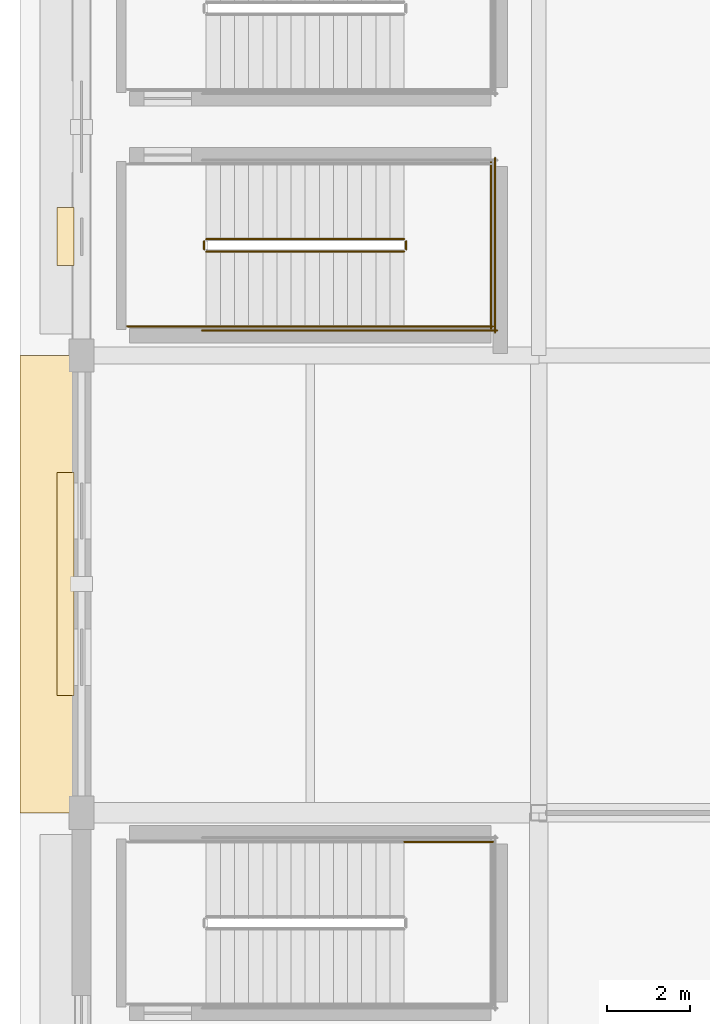
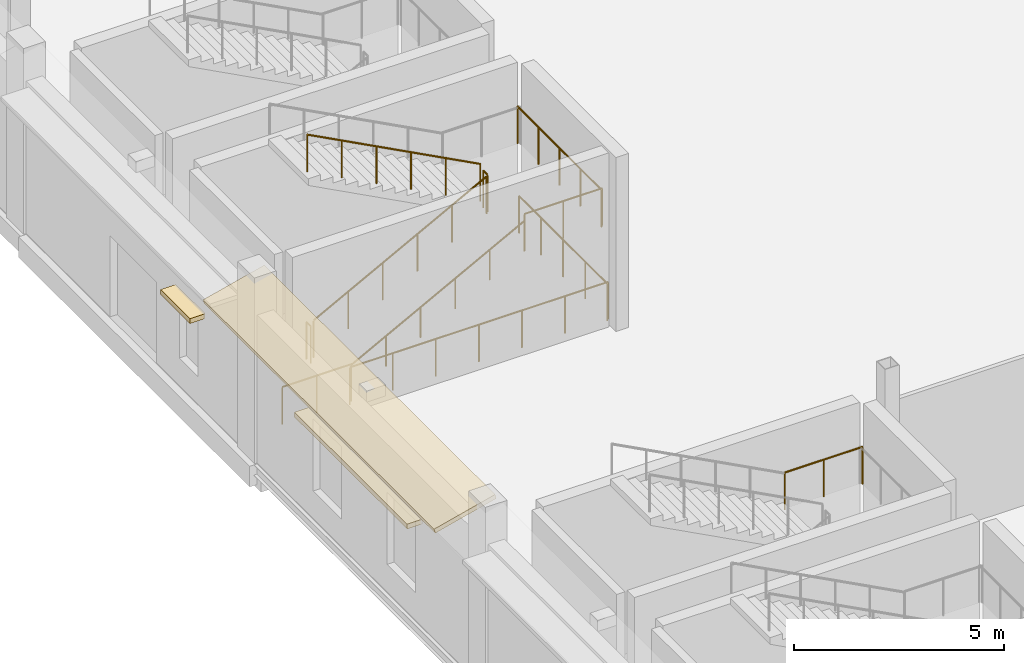
# One storey, part 95 of 120: 11 railings, 3 coverings.
"""IFC4 building model written with IfcOpenShell, lengths in metres."""

from ifc_helpers import new_model, si_unit, direction, frame, origin, origin_2d, place, context, subcontext, project, spatial, polyline, rectangle, circle, outline, extrude, material, layer, layer_set, type_object, element, save


model = new_model("IFC4")

# Units and contexts
model_context = context("Model", 3, precision=1e-05, world=origin(), true_north=direction((0.0, 1.0)))
body_context = subcontext(model_context, "Body", "Model", "MODEL_VIEW")
ifc_project = project(units=[si_unit("LENGTHUNIT", "METRE"), si_unit("AREAUNIT", "SQUARE_METRE"), si_unit("VOLUMEUNIT", "CUBIC_METRE"), si_unit("PLANEANGLEUNIT", "RADIAN"), si_unit("MASSUNIT", "GRAM", prefix="KILO")], contexts=[model_context])

# Site, building, storey
site_placement = place(None, origin())
site = spatial("IfcSite", under=ifc_project, at=site_placement, CompositionType="ELEMENT")
building_placement = place(site_placement, origin())
building = spatial("IfcBuilding", under=site, at=building_placement, Name="Luwafu Chhajja Arena", CompositionType="ELEMENT")
storey_placement = place(building_placement, origin())
storey = spatial("IfcBuildingStorey", under=building, at=storey_placement, Name="L00", CompositionType="ELEMENT", Elevation=0.0)

# Coverings
ifc_material_1 = material(Name="Red laterite sandstone cladding", Category="masonry")
ifc_layer = layer(ifc_material_1, 0.074951171875, Name="Red laterite sandstone cladding")
ifc_layer_set = layer_set([ifc_layer], Name="Red laterite sandstone cladding")
covering_type = type_object("IfcCoveringType", Name="Dressed Red-Laterite Sandstone Cladding", PredefinedType="CLADDING", material=ifc_layer_set)
covering_1_placement = place(storey_placement, frame((0.199951171875, 11.0, 5.360107421875), z_axis=(-0.242635142566, 0.0, 0.970117615339), x_axis=(0.0, 1.0, 0.0)))
element("IfcCovering", 1, at=covering_1_placement, inside=storey, type_object=covering_type, Name="L00 Continuous Sloped Sandstone Chhajja Eave 0003", PredefinedType="CLADDING", context=body_context, shape_type="SweptSolid", body=[
    extrude(outline(polyline([(0.0, 0.0), (11.0, 0.0), (11.0, 1.7316783182390405), (0.0, 1.7316783182390405), (0.0, 0.0)])), origin(), (0.0, 0.0, -1.0), 0.1298828125),
])
covering_2_placement = place(storey_placement, frame((-0.385009765625, 16.5, 2.93017578125), z_axis=(0.0, 0.0, 1.0), x_axis=(0.0, 1.0, 0.0)))
element("IfcCovering", 2, at=covering_2_placement, inside=storey, type_object=covering_type, Name="L00 Mughal Sandstone Window Chhajja Hood 0142", PredefinedType="CLADDING", context=body_context, shape_type="SweptSolid", body=[
    extrude(rectangle(XDim=5.3701171875, YDim=0.419921875, at=origin_2d()), origin(), (0.0, 0.0, 1.0), 0.139892578125),
])
covering_3_placement = place(storey_placement, frame((-0.385009765625, 24.860107421875, 2.6298828125), z_axis=(0.0, 0.0, 1.0), x_axis=(0.0, 1.0, 0.0)))
element("IfcCovering", 3, at=covering_3_placement, inside=storey, type_object=covering_type, Name="L00 Mughal Sandstone Window Chhajja Hood 0143", PredefinedType="CLADDING", context=body_context, shape_type="SweptSolid", body=[
    extrude(rectangle(XDim=1.39990234375, YDim=0.419921875, at=origin_2d()), origin(), (0.0, 0.0, 1.0), 0.139892578125),
])

# Railings
ifc_material_2 = material(Name="Stainless steel handrail", Category="steel")
railing_type_1 = type_object("IfcRailingType", Name="Stair Pitch Wall Handrail 920", PredefinedType="HANDRAIL", material=ifc_material_2)
railing_1_placement = place(storey_placement, frame((3.0, 22.699951171875, 0.179931640625)))
element("IfcRailing", 4, at=railing_1_placement, inside=storey, type_object=railing_type_1, Name="L00 ST-13 stair handrail 1", PredefinedType="HANDRAIL", context=body_context, shape_type="SweptSolid", body=[
    extrude(circle(Radius=0.02392578125, at=origin_2d()), frame((0.0, 0.0, 0.8759765625), z_axis=(0.883786813738, 0.0, 0.467889803119), x_axis=(0.0, 1.0, 0.0)), (0.0, 0.0, 1.0), 5.385986328125),
    extrude(circle(Radius=0.02099609375, at=origin_2d()), origin(), (0.0, 0.0, 1.0), 0.851806640625),
    extrude(circle(Radius=0.02099609375, at=origin_2d()), frame((0.951904296875, 0.0, 0.50390625)), (0.0, 0.0, 1.0), 0.851806640625),
    extrude(circle(Radius=0.02099609375, at=origin_2d()), frame((1.904052734375, 0.0, 1.008056640625)), (0.0, 0.0, 1.0), 0.851806640625),
    extrude(circle(Radius=0.02099609375, at=origin_2d()), frame((2.85595703125, 0.0, 1.511962890625)), (0.0, 0.0, 1.0), 0.851806640625),
    extrude(circle(Radius=0.02099609375, at=origin_2d()), frame((3.80810546875, 0.0, 2.01611328125)), (0.0, 0.0, 1.0), 0.851806640625),
    extrude(circle(Radius=0.02099609375, at=origin_2d()), frame((4.760009765625, 0.0, 2.52001953125)), (0.0, 0.0, 1.0), 0.851806640625),
])
ifc_material_3 = material(Name="Stainless steel balustrade", Category="steel")
railing_type_2 = type_object("IfcRailingType", Name="Stair and Terrace Guard Balustrade 1100", PredefinedType="BALUSTRADE", material=ifc_material_3)
railing_2_placement = place(storey_placement, frame((3.0, 24.5, 0.179931640625)))
element("IfcRailing", 5, at=railing_2_placement, inside=storey, type_object=railing_type_2, Name="L00 ST-13 stair guard 1", PredefinedType="BALUSTRADE", context=body_context, shape_type="SweptSolid", body=[
    extrude(circle(Radius=0.02392578125, at=origin_2d()), frame((0.0, 0.0, 1.076171875), z_axis=(0.883786813738, 0.0, 0.467889803119), x_axis=(0.0, 1.0, 0.0)), (0.0, 0.0, 1.0), 5.385986328125),
    extrude(circle(Radius=0.02099609375, at=origin_2d()), origin(), (0.0, 0.0, 1.0), 1.052001953125),
    extrude(circle(Radius=0.02099609375, at=origin_2d()), frame((0.951904296875, 0.0, 0.50390625)), (0.0, 0.0, 1.0), 1.052001953125),
    extrude(circle(Radius=0.02099609375, at=origin_2d()), frame((1.904052734375, 0.0, 1.008056640625)), (0.0, 0.0, 1.0), 1.052001953125),
    extrude(circle(Radius=0.02099609375, at=origin_2d()), frame((2.85595703125, 0.0, 1.511962890625)), (0.0, 0.0, 1.0), 1.052001953125),
    extrude(circle(Radius=0.02099609375, at=origin_2d()), frame((3.80810546875, 0.0, 2.01611328125)), (0.0, 0.0, 1.0), 1.052001953125),
    extrude(circle(Radius=0.02099609375, at=origin_2d()), frame((4.760009765625, 0.0, 2.52001953125)), (0.0, 0.0, 1.0), 1.052001953125),
])
railing_3_placement = place(storey_placement, frame((7.81005859375, 24.550048828125, 2.699951171875)))
element("IfcRailing", 6, at=railing_3_placement, inside=storey, type_object=railing_type_2, Name="L00 ST-13 stair guard 2", PredefinedType="BALUSTRADE", context=body_context, shape_type="SweptSolid", body=[
    extrude(circle(Radius=0.02392578125, at=origin_2d()), frame((0.0, 0.0, 1.076171875), z_axis=(0.0, 1.0, 0.0), x_axis=(-1.0, 0.0, 0.0)), (0.0, 0.0, 1.0), 0.199951171875),
    extrude(circle(Radius=0.02099609375, at=origin_2d()), origin(), (0.0, 0.0, 1.0), 1.052001953125),
    extrude(circle(Radius=0.02099609375, at=origin_2d()), frame((0.0, 0.199951171875, 0.0)), (0.0, 0.0, 1.0), 1.052001953125),
])
railing_4_placement = place(storey_placement, frame((7.760009765625, 22.699951171875, 2.699951171875)))
element("IfcRailing", 7, at=railing_4_placement, inside=storey, type_object=railing_type_2, Name="L00 ST-13 stair guard 3", PredefinedType="BALUSTRADE", context=body_context, shape_type="SweptSolid", body=[
    extrude(circle(Radius=0.02392578125, at=origin_2d()), frame((0.0, 0.0, 1.076171875), z_axis=(1.0, 0.0, 0.0), x_axis=(0.0, 1.0, 0.0)), (0.0, 0.0, 1.0), 2.139892578125),
    extrude(circle(Radius=0.02099609375, at=origin_2d()), origin(), (0.0, 0.0, 1.0), 1.052001953125),
    extrude(circle(Radius=0.02099609375, at=origin_2d()), frame((1.06982421875, 0.0, 0.0)), (0.0, 0.0, 1.0), 1.052001953125),
    extrude(circle(Radius=0.02099609375, at=origin_2d()), frame((2.139892578125, 0.0, 0.0)), (0.0, 0.0, 1.0), 1.052001953125),
])
railing_5_placement = place(storey_placement, frame((9.85009765625, 22.64990234375, 2.699951171875)))
element("IfcRailing", 8, at=railing_5_placement, inside=storey, type_object=railing_type_2, Name="L00 ST-13 stair guard 5", PredefinedType="BALUSTRADE", context=body_context, shape_type="SweptSolid", body=[
    extrude(circle(Radius=0.02392578125, at=origin_2d()), frame((0.0, 0.0, 1.076171875), z_axis=(0.0, 1.0, 0.0), x_axis=(-1.0, 0.0, 0.0)), (0.0, 0.0, 1.0), 4.0),
    extrude(circle(Radius=0.02099609375, at=origin_2d()), origin(), (0.0, 0.0, 1.0), 1.052001953125),
    extrude(circle(Radius=0.02099609375, at=origin_2d()), frame((0.0, 1.0, 0.0)), (0.0, 0.0, 1.0), 1.052001953125),
    extrude(circle(Radius=0.02099609375, at=origin_2d()), frame((0.0, 2.0, 0.0)), (0.0, 0.0, 1.0), 1.052001953125),
    extrude(circle(Radius=0.02099609375, at=origin_2d()), frame((0.0, 3.0, 0.0)), (0.0, 0.0, 1.0), 1.052001953125),
    extrude(circle(Radius=0.02099609375, at=origin_2d()), frame((0.0, 4.0, 0.0)), (0.0, 0.0, 1.0), 1.052001953125),
])
railing_6_placement = place(storey_placement, frame((7.760009765625, 24.800048828125, 2.8798828125)))
element("IfcRailing", 9, at=railing_6_placement, inside=storey, type_object=railing_type_2, Name="L00 ST-13 stair guard 6", PredefinedType="BALUSTRADE", context=body_context, shape_type="SweptSolid", body=[
    extrude(circle(Radius=0.02392578125, at=origin_2d()), frame((0.0, 0.0, 1.076171875), z_axis=(-0.883786813738, 0.0, 0.467889803119), x_axis=(0.0, -1.0, 0.0)), (0.0, 0.0, 1.0), 5.385986328125),
    extrude(circle(Radius=0.02099609375, at=origin_2d()), origin(), (0.0, 0.0, 1.0), 1.052001953125),
    extrude(circle(Radius=0.02099609375, at=origin_2d()), frame((-0.951904296875, 0.0, 0.50390625)), (0.0, 0.0, 1.0), 1.052001953125),
    extrude(circle(Radius=0.02099609375, at=origin_2d()), frame((-1.904052734375, 0.0, 1.008056640625)), (0.0, 0.0, 1.0), 1.052001953125),
    extrude(circle(Radius=0.02099609375, at=origin_2d()), frame((-2.85595703125, 0.0, 1.511962890625)), (0.0, 0.0, 1.0), 1.052001953125),
    extrude(circle(Radius=0.02099609375, at=origin_2d()), frame((-3.80810546875, 0.0, 2.01611328125)), (0.0, 0.0, 1.0), 1.052001953125),
    extrude(circle(Radius=0.02099609375, at=origin_2d()), frame((-4.760009765625, 0.0, 2.52001953125)), (0.0, 0.0, 1.0), 1.052001953125),
])
railing_7_placement = place(storey_placement, frame((2.949951171875, 24.550048828125, 0.0)))
element("IfcRailing", 10, at=railing_7_placement, inside=storey, type_object=railing_type_2, Name="L00 ST-13 stair guard 7", PredefinedType="BALUSTRADE", context=body_context, shape_type="SweptSolid", body=[
    extrude(circle(Radius=0.02392578125, at=origin_2d()), frame((0.0, 0.0, 1.076171875), z_axis=(0.0, 1.0, 0.0), x_axis=(-1.0, 0.0, 0.0)), (0.0, 0.0, 1.0), 0.199951171875),
    extrude(circle(Radius=0.02099609375, at=origin_2d()), origin(), (0.0, 0.0, 1.0), 1.052001953125),
    extrude(circle(Radius=0.02099609375, at=origin_2d()), frame((0.0, 0.199951171875, 0.0)), (0.0, 0.0, 1.0), 1.052001953125),
])
railing_8_placement = place(storey_placement, frame((1.10009765625, 22.699951171875, 0.0)))
element("IfcRailing", 11, at=railing_8_placement, inside=storey, type_object=railing_type_2, Name="L00 ST-13 stair guard 8", PredefinedType="BALUSTRADE", context=body_context, shape_type="SweptSolid", body=[
    extrude(circle(Radius=0.02392578125, at=origin_2d()), frame((0.0, 0.0, 1.076171875), z_axis=(1.0, 0.0, 0.0), x_axis=(0.0, 1.0, 0.0)), (0.0, 0.0, 1.0), 1.89990234375),
    extrude(circle(Radius=0.02099609375, at=origin_2d()), origin(), (0.0, 0.0, 1.0), 1.052001953125),
    extrude(circle(Radius=0.02099609375, at=origin_2d()), frame((0.949951171875, 0.0, 0.0)), (0.0, 0.0, 1.0), 1.052001953125),
    extrude(circle(Radius=0.02099609375, at=origin_2d()), frame((1.89990234375, 0.0, 0.0)), (0.0, 0.0, 1.0), 1.052001953125),
])
railing_9_placement = place(storey_placement, frame((2.89990234375, 22.60009765625, 0.0)))
element("IfcRailing", 12, at=railing_9_placement, inside=storey, type_object=railing_type_2, Name="L00 ST-13 stair guard 10", PredefinedType="BALUSTRADE", context=body_context, shape_type="SweptSolid", body=[
    extrude(circle(Radius=0.02392578125, at=origin_2d()), frame((0.0, 0.0, 1.076171875), z_axis=(1.0, 0.0, 0.0), x_axis=(0.0, 1.0, 0.0)), (0.0, 0.0, 1.0), 7.10009765625),
    extrude(circle(Radius=0.02099609375, at=origin_2d()), origin(), (0.0, 0.0, 1.0), 1.052001953125),
    extrude(circle(Radius=0.02099609375, at=origin_2d()), frame((1.183349609375, 0.0, 0.0)), (0.0, 0.0, 1.0), 1.052001953125),
    extrude(circle(Radius=0.02099609375, at=origin_2d()), frame((2.36669921875, 0.0, 0.0)), (0.0, 0.0, 1.0), 1.052001953125),
    extrude(circle(Radius=0.02099609375, at=origin_2d()), frame((3.550048828125, 0.0, 0.0)), (0.0, 0.0, 1.0), 1.052001953125),
    extrude(circle(Radius=0.02099609375, at=origin_2d()), frame((4.7333984375, 0.0, 0.0)), (0.0, 0.0, 1.0), 1.052001953125),
    extrude(circle(Radius=0.02099609375, at=origin_2d()), frame((5.916748046875, 0.0, 0.0)), (0.0, 0.0, 1.0), 1.052001953125),
    extrude(circle(Radius=0.02099609375, at=origin_2d()), frame((7.10009765625, 0.0, 0.0)), (0.0, 0.0, 1.0), 1.052001953125),
])
railing_10_placement = place(storey_placement, frame((9.949951171875, 22.550048828125, 0.0)))
element("IfcRailing", 13, at=railing_10_placement, inside=storey, type_object=railing_type_2, Name="L00 ST-13 stair guard 12", PredefinedType="BALUSTRADE", context=body_context, shape_type="SweptSolid", body=[
    extrude(circle(Radius=0.02392578125, at=origin_2d()), frame((0.0, 0.0, 1.076171875), z_axis=(0.0, 1.0, 0.0), x_axis=(-1.0, 0.0, 0.0)), (0.0, 0.0, 1.0), 4.199951171875),
    extrude(circle(Radius=0.02099609375, at=origin_2d()), origin(), (0.0, 0.0, 1.0), 1.052001953125),
    extrude(circle(Radius=0.02099609375, at=origin_2d()), frame((0.0, 1.050048828125, 0.0)), (0.0, 0.0, 1.0), 1.052001953125),
    extrude(circle(Radius=0.02099609375, at=origin_2d()), frame((0.0, 2.10009765625, 0.0)), (0.0, 0.0, 1.0), 1.052001953125),
    extrude(circle(Radius=0.02099609375, at=origin_2d()), frame((0.0, 3.14990234375, 0.0)), (0.0, 0.0, 1.0), 1.052001953125),
    extrude(circle(Radius=0.02099609375, at=origin_2d()), frame((0.0, 4.199951171875, 0.0)), (0.0, 0.0, 1.0), 1.052001953125),
])
railing_11_placement = place(storey_placement, frame((7.760009765625, 10.300048828125, 2.699951171875)))
element("IfcRailing", 14, at=railing_11_placement, inside=storey, type_object=railing_type_2, Name="L00 ST-18 stair guard 4", PredefinedType="BALUSTRADE", context=body_context, shape_type="SweptSolid", body=[
    extrude(circle(Radius=0.02392578125, at=origin_2d()), frame((0.0, 0.0, 1.076171875), z_axis=(1.0, 0.0, 0.0), x_axis=(0.0, 1.0, 0.0)), (0.0, 0.0, 1.0), 2.139892578125),
    extrude(circle(Radius=0.02099609375, at=origin_2d()), origin(), (0.0, 0.0, 1.0), 1.052001953125),
    extrude(circle(Radius=0.02099609375, at=origin_2d()), frame((1.06982421875, 0.0, 0.0)), (0.0, 0.0, 1.0), 1.052001953125),
    extrude(circle(Radius=0.02099609375, at=origin_2d()), frame((2.139892578125, 0.0, 0.0)), (0.0, 0.0, 1.0), 1.052001953125),
])

save(model, "model.ifc")
